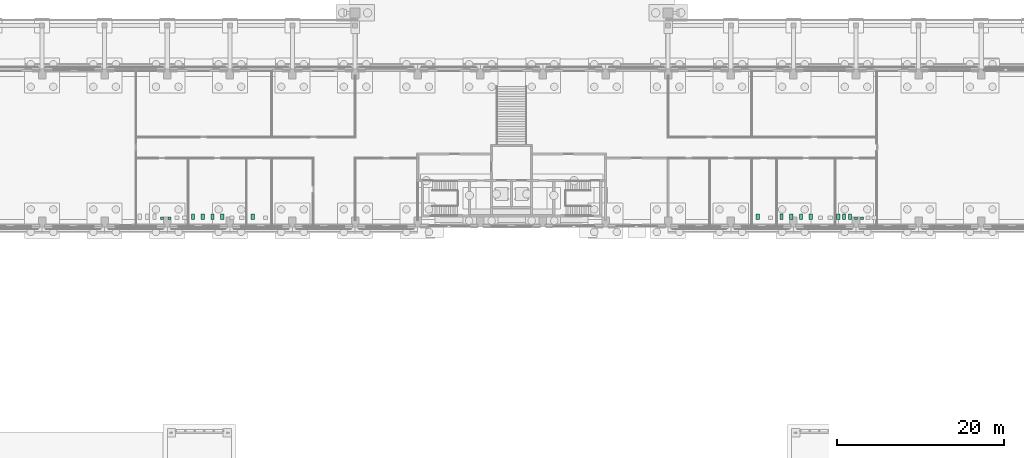
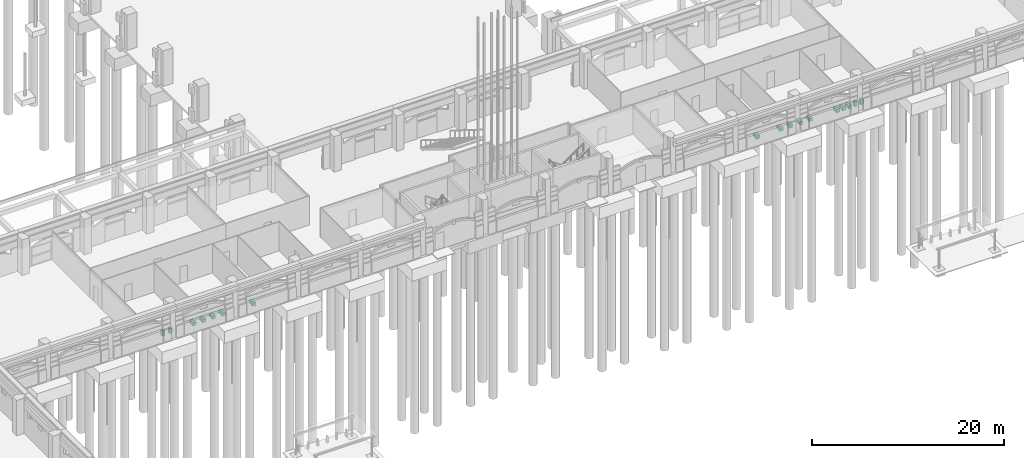
# One storey, part 96 of 99: 17 sanitary terminals.
"""IFC4 building model written with IfcOpenShell, lengths in metres."""

from ifc_helpers import new_model, si_unit, direction, frame, origin, origin_2d, place, context, subcontext, project, spatial, rectangle, extrude, material, type_object, element, save


model = new_model("IFC4")

# Units and contexts
model_context = context("Model", 3, precision=1e-05, world=origin(), true_north=direction((0.0, 1.0)))
body_context = subcontext(model_context, "Body", "Model", "MODEL_VIEW")
ifc_project = project(units=[si_unit("LENGTHUNIT", "METRE"), si_unit("AREAUNIT", "SQUARE_METRE"), si_unit("VOLUMEUNIT", "CUBIC_METRE"), si_unit("PLANEANGLEUNIT", "RADIAN"), si_unit("MASSUNIT", "GRAM", prefix="KILO")], contexts=[model_context])

# Site, building, storey
site_placement = place(None, origin())
site = spatial("IfcSite", under=ifc_project, at=site_placement, CompositionType="ELEMENT")
building_placement = place(site_placement, origin())
building = spatial("IfcBuilding", under=site, at=building_placement, Name="Cour d'Honneur Mobility Palace", CompositionType="ELEMENT")
storey_placement = place(building_placement, origin())
storey = spatial("IfcBuildingStorey", under=building, at=storey_placement, Name="L00", CompositionType="ELEMENT", Elevation=0.0)

# Sanitary terminals
ifc_material_1 = material(Name="Vitreous china")
sanitary_terminal_type_1 = type_object("IfcSanitaryTerminalType", Name="Urinal", PredefinedType="URINAL", material=ifc_material_1)
for number, where, z_axis, x_axis, name in (
    (1, (39.27490234375, 45.294921875, 0.0), (0.0, 0.0, 1.0), (1.0, 0.0, 0.0), "Urinal WC Men"),
    (2, (40.16796875, 45.294921875, 0.0), (0.0, 0.0, 1.0), (1.0, 0.0, 0.0), "Urinal WC Men"),
    (3, (122.39990234375, 45.294921875, 0.0), (0.0, 0.0, 1.0), (1.0, 0.0, 0.0), "Urinal WC Men East"),
    (4, (123.1142578125, 45.294921875, 0.0), (0.0, 0.0, 1.0), (1.0, 0.0, 0.0), "Urinal WC Men East"),
):
    element("IfcSanitaryTerminal", number, at=place(storey_placement, frame(where, z_axis=z_axis, x_axis=x_axis)), inside=storey, type_object=sanitary_terminal_type_1, Name=name, PredefinedType="URINAL", context=body_context, shape_type="SweptSolid", body=[
        extrude(rectangle(XDim=0.35009765625, YDim=0.35009765625, at=origin_2d()), origin(), (0.0, 0.0, 1.0), 0.64990234375),
    ])
ifc_material_2 = material(Name="Vitreous china")
sanitary_terminal_type_2 = type_object("IfcSanitaryTerminalType", Name="Water closet", PredefinedType="WCSEAT", material=ifc_material_2)
for number, where, z_axis, x_axis, name in (
    (5, (42.9833984375, 45.469970703125, 0.0), (0.0, 0.0, 1.0), (1.0, 0.0, 0.0), "Water closet WC Women"),
    (6, (44.14990234375, 45.469970703125, 0.0), (0.0, 0.0, 1.0), (1.0, 0.0, 0.0), "Water closet WC Women"),
    (7, (45.316650390625, 45.469970703125, 0.0), (0.0, 0.0, 1.0), (1.0, 0.0, 0.0), "Water closet WC Women"),
    (8, (46.4833984375, 45.469970703125, 0.0), (0.0, 0.0, 1.0), (1.0, 0.0, 0.0), "Water closet WC Women"),
    (9, (50.14990234375, 45.469970703125, 0.0), (0.0, 0.0, 1.0), (1.0, 0.0, 0.0), "Water closet Accessible WC"),
    (10, (110.64990234375, 45.469970703125, 0.0), (0.0, 0.0, 1.0), (1.0, 0.0, 0.0), "Water closet Accessible WC East"),
    (11, (113.4833984375, 45.469970703125, 0.0), (0.0, 0.0, 1.0), (1.0, 0.0, 0.0), "Water closet WC Women East"),
    (12, (114.64990234375, 45.469970703125, 0.0), (0.0, 0.0, 1.0), (1.0, 0.0, 0.0), "Water closet WC Women East"),
    (13, (115.816650390625, 45.469970703125, 0.0), (0.0, 0.0, 1.0), (1.0, 0.0, 0.0), "Water closet WC Women East"),
    (14, (116.9833984375, 45.469970703125, 0.0), (0.0, 0.0, 1.0), (1.0, 0.0, 0.0), "Water closet WC Women East"),
    (15, (120.257080078125, 45.469970703125, 0.0), (0.0, 0.0, 1.0), (1.0, 0.0, 0.0), "Water closet WC Men East"),
    (16, (120.971435546875, 45.469970703125, 0.0), (0.0, 0.0, 1.0), (1.0, 0.0, 0.0), "Water closet WC Men East"),
    (17, (121.685791015625, 45.469970703125, 0.0), (0.0, 0.0, 1.0), (1.0, 0.0, 0.0), "Water closet WC Men East"),
):
    element("IfcSanitaryTerminal", number, at=place(storey_placement, frame(where, z_axis=z_axis, x_axis=x_axis)), inside=storey, type_object=sanitary_terminal_type_2, Name=name, PredefinedType="WCSEAT", context=body_context, shape_type="SweptSolid", body=[
        extrude(rectangle(XDim=0.39990234375, YDim=0.699951171875, at=origin_2d()), origin(), (0.0, 0.0, 1.0), 0.39990234375),
    ])

save(model, "model.ifc")
